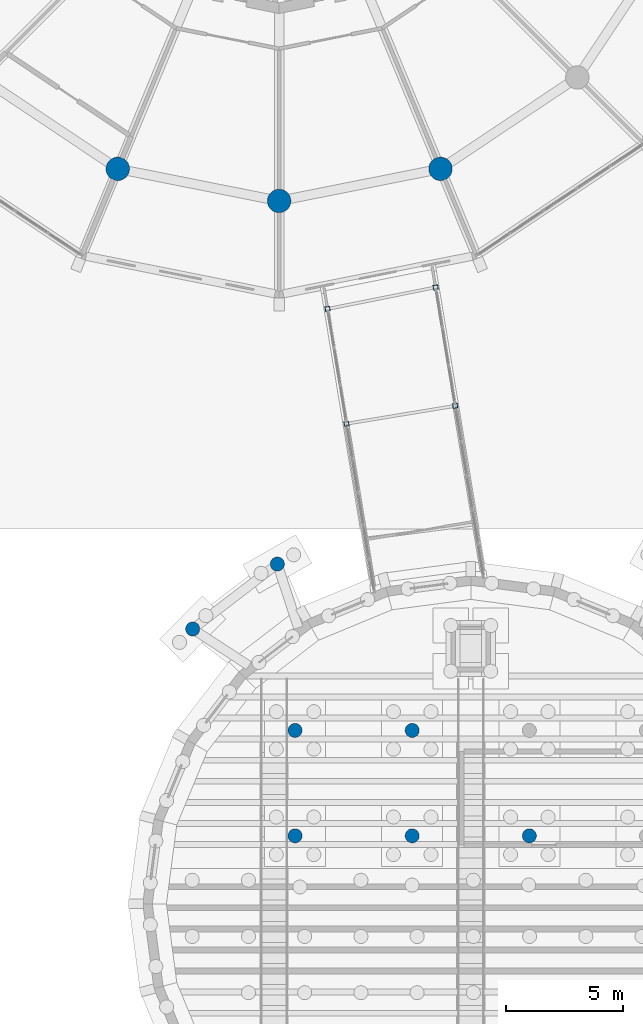
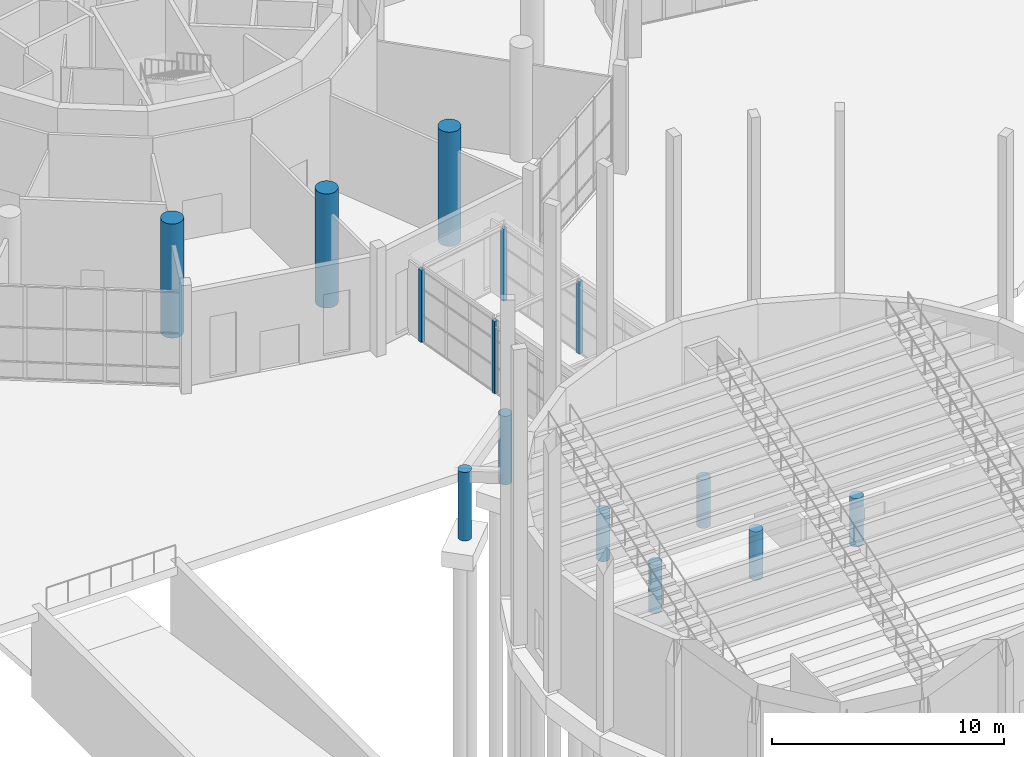
# One storey, part 20 of 226: 14 columns.
"""IFC4 building model written with IfcOpenShell, lengths in metres."""

from ifc_helpers import new_model, si_unit, direction, frame, origin, origin_2d, place, context, subcontext, project, spatial, hollow_rectangle, circle, extrude, material, material_profile, profile_set, type_object, element, save


model = new_model("IFC4")

# Units and contexts
model_context = context("Model", 3, precision=1e-05, world=origin(), true_north=direction((0.0, 1.0)))
body_context = subcontext(model_context, "Body", "Model", "MODEL_VIEW")
ifc_project = project(units=[si_unit("LENGTHUNIT", "METRE"), si_unit("AREAUNIT", "SQUARE_METRE"), si_unit("VOLUMEUNIT", "CUBIC_METRE"), si_unit("PLANEANGLEUNIT", "RADIAN"), si_unit("MASSUNIT", "GRAM", prefix="KILO")], contexts=[model_context])

# Site, building, storey
site_placement = place(None, origin())
site = spatial("IfcSite", under=ifc_project, at=site_placement, CompositionType="ELEMENT")
building_placement = place(site_placement, origin())
building = spatial("IfcBuilding", under=site, at=building_placement, Name="Ceibo Conservatory and Research Tower", CompositionType="ELEMENT")
storey_placement = place(building_placement, origin())
storey = spatial("IfcBuildingStorey", under=building, at=storey_placement, Name="L00", CompositionType="ELEMENT", Elevation=0.0)

# Columns
ifc_material_1 = material(Name="Concrete C40/50", Category="concrete")
ifc_material_profile_1 = material_profile(ifc_material_1, circle(Radius=0.5, at=origin_2d()), Name="RC D1000")
ifc_profile_set_1 = profile_set([ifc_material_profile_1], Name="Concrete C40/50")
column_type_1 = type_object("IfcColumnType", Name="RC column D1000 C40", PredefinedType="COLUMN", material=ifc_profile_set_1)
for number, where, z_axis, x_axis, name in (
    (1, (41.11181640625, 103.3701171875, 0.0), (0.0, 0.0, 1.0), (1.0, 0.0, 0.0), "Column R12 L00"),
    (2, (48.0, 102.0, 0.0), (0.0, 0.0, 1.0), (1.0, 0.0, 0.0), "Column R13 L00"),
    (3, (54.88818359375, 103.3701171875, 0.0), (0.0, 0.0, 1.0), (1.0, 0.0, 0.0), "Column R14 L00"),
):
    element("IfcColumn", number, at=place(storey_placement, frame(where, z_axis=z_axis, x_axis=x_axis)), inside=storey, type_object=column_type_1, Name=name, PredefinedType="COLUMN", context=body_context, shape_type="SweptSolid", body=[
        extrude(circle(Radius=0.5, at=origin_2d()), origin(), (0.0, 0.0, 1.0), 6.0),
    ])
ifc_material_profile_2 = material_profile(ifc_material_1, circle(Radius=0.300048828125, at=origin_2d()), Name="RC D600")
ifc_profile_set_2 = profile_set([ifc_material_profile_2], Name="Concrete C40/50")
column_type_2 = type_object("IfcColumnType", Name="RC column D600 C40", PredefinedType="COLUMN", material=ifc_profile_set_2)
for number, where, z_axis, x_axis, name in (
    (4, (48.68017578125, 74.89990234375, 0.0), (0.0, 0.0, 1.0), (1.0, 0.0, 0.0), "Foyer column 11"),
    (5, (53.68017578125, 74.89990234375, 0.0), (0.0, 0.0, 1.0), (1.0, 0.0, 0.0), "Foyer column 12"),
    (6, (58.68017578125, 74.89990234375, 0.0), (0.0, 0.0, 1.0), (1.0, 0.0, 0.0), "Foyer column 13"),
    (7, (48.68017578125, 79.39990234375, 0.0), (0.0, 0.0, 1.0), (1.0, 0.0, 0.0), "Foyer column 21"),
    (8, (53.68017578125, 79.39990234375, 0.0), (0.0, 0.0, 1.0), (1.0, 0.0, 0.0), "Foyer column 22"),
):
    element("IfcColumn", number, at=place(storey_placement, frame(where, z_axis=z_axis, x_axis=x_axis)), inside=storey, type_object=column_type_2, Name=name, PredefinedType="COLUMN", context=body_context, shape_type="SweptSolid", body=[
        extrude(circle(Radius=0.300048828125, at=origin_2d()), origin(), (0.0, 0.0, 1.0), 2.550048828125),
    ])
for number, where, z_axis, x_axis, name in (
    (9, (47.923828125, 86.500732421875, 0.0), (0.0, 0.0, 1.0), (1.0, 0.0, 0.0), "Canopy column F09-1"),
    (10, (44.310302734375, 83.72802734375, 0.0), (0.0, 0.0, 1.0), (1.0, 0.0, 0.0), "Canopy column F09-2"),
):
    element("IfcColumn", number, at=place(storey_placement, frame(where, z_axis=z_axis, x_axis=x_axis)), inside=storey, type_object=column_type_2, Name=name, PredefinedType="COLUMN", context=body_context, shape_type="SweptSolid", body=[
        extrude(circle(Radius=0.300048828125, at=origin_2d()), origin(), (0.0, 0.0, 1.0), 3.60009765625),
    ])
ifc_material_2 = material(Name="Steel S355J2H", Category="steel")
ifc_material_profile_3 = material_profile(ifc_material_2, hollow_rectangle(XDim=0.199951171875, YDim=0.199951171875, WallThickness=0.010009765625, at=origin_2d()), Name="RHS column 200x200x10")
ifc_profile_set_3 = profile_set([ifc_material_profile_3], Name="Steel S355J2H")
column_type_3 = type_object("IfcColumnType", Name="RHS column 200x200x10", PredefinedType="COLUMN", material=ifc_profile_set_3)
for number, where, z_axis, x_axis, name in (
    (11, (54.678466796875, 98.309326171875, 0.0), (0.0, 0.0, 1.0), (0.162895430671, -0.986643339139, 0.0), "Gallery column RT-AUD-CN01"),
    (12, (50.06640625, 97.39208984375, 0.0), (0.0, 0.0, 1.0), (0.162895430671, -0.986643339139, 0.0), "Gallery column RT-AUD-CS01"),
    (13, (55.51318359375, 93.253662109375, 0.0), (0.0, 0.0, 1.0), (0.162895430671, -0.986643339139, 0.0), "Gallery column RT-AUD-CN02"),
    (14, (50.875732421875, 92.4892578125, 0.0), (0.0, 0.0, 1.0), (0.162895430671, -0.986643339139, 0.0), "Gallery column RT-AUD-CS02"),
):
    element("IfcColumn", number, at=place(storey_placement, frame(where, z_axis=z_axis, x_axis=x_axis)), inside=storey, type_object=column_type_3, Name=name, PredefinedType="COLUMN", context=body_context, shape_type="SweptSolid", body=[
        extrude(hollow_rectangle(XDim=0.199951171875, YDim=0.199951171875, WallThickness=0.010009765625, at=origin_2d()), origin(), (0.0, 0.0, 1.0), 3.800048828125),
    ])

save(model, "model.ifc")
